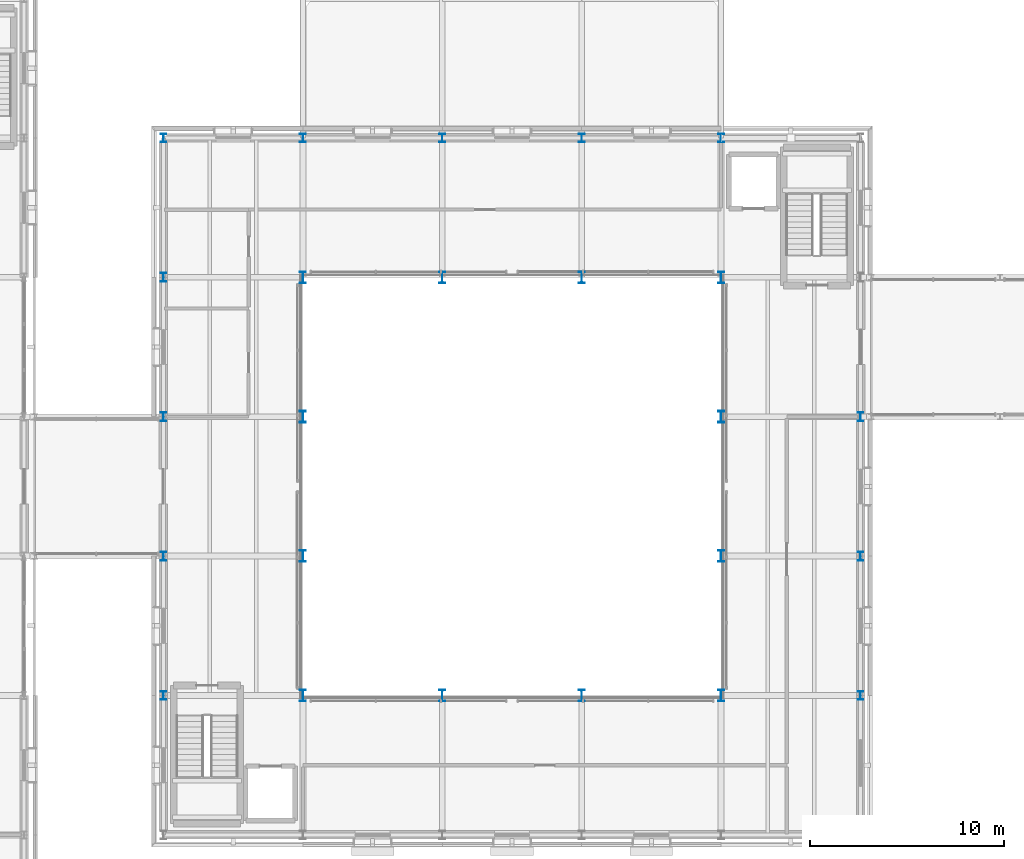
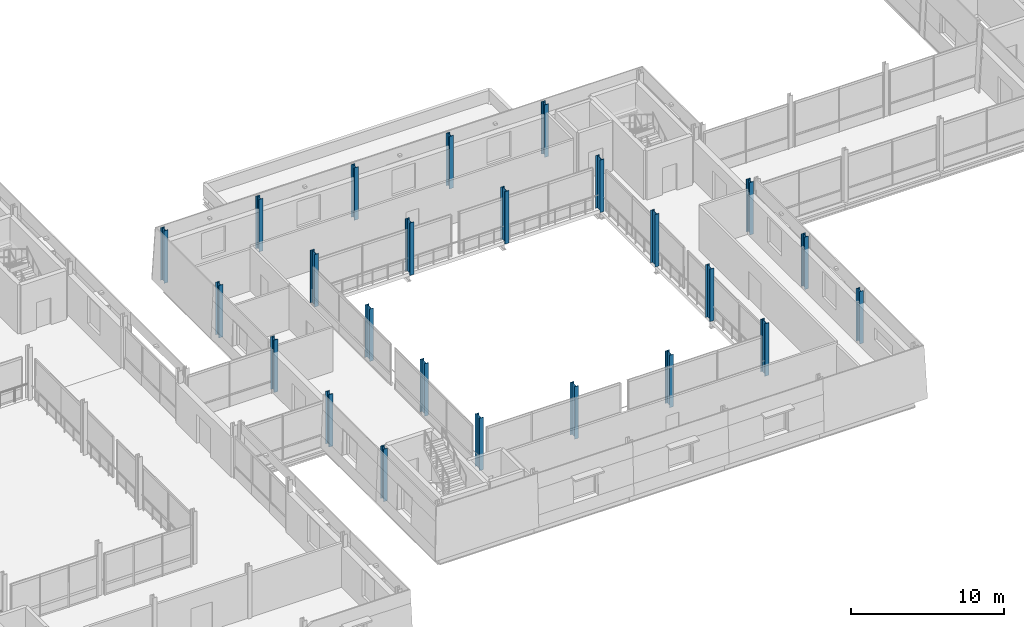
# One storey, part 10 of 115: 24 columns.
"""IFC4 building model written with IfcOpenShell, lengths in metres."""

from ifc_helpers import new_model, si_unit, direction, frame, origin, origin_2d, place, context, subcontext, project, spatial, i_section, extrude, material, material_profile, profile_set, type_object, element, save


model = new_model("IFC4")

# Units and contexts
model_context = context("Model", 3, precision=1e-05, world=origin(), true_north=direction((0.0, 1.0)))
body_context = subcontext(model_context, "Body", "Model", "MODEL_VIEW")
ifc_project = project(units=[si_unit("LENGTHUNIT", "METRE"), si_unit("AREAUNIT", "SQUARE_METRE"), si_unit("VOLUMEUNIT", "CUBIC_METRE"), si_unit("PLANEANGLEUNIT", "RADIAN"), si_unit("MASSUNIT", "GRAM", prefix="KILO")], contexts=[model_context])

# Site, building, storey
site_placement = place(None, origin())
site = spatial("IfcSite", under=ifc_project, at=site_placement, CompositionType="ELEMENT")
building_placement = place(site_placement, origin())
building = spatial("IfcBuilding", under=site, at=building_placement, Name="Narikvali Park Central Library", CompositionType="ELEMENT")
storey_placement = place(building_placement, frame((0.0, 0.0, 10.199951171875)))
storey = spatial("IfcBuildingStorey", under=building, at=storey_placement, Name="L02", CompositionType="ELEMENT", Elevation=10.199951171875)

# Columns
ifc_material = material(Name="Steel S355", Category="steel")
ifc_material_profile_1 = material_profile(ifc_material, i_section(OverallWidth=0.300048828125, OverallDepth=0.60009765625, WebThickness=0.015380859375, FlangeThickness=0.030029296875, FilletRadius=0.027099609375, at=origin_2d()), Name="HEB 600")
ifc_profile_set_1 = profile_set([ifc_material_profile_1], Name="Steel S355")
column_type_1 = type_object("IfcColumnType", Name="Dome Ring Column HEB600", PredefinedType="COLUMN", material=ifc_profile_set_1)
for number, where, z_axis, x_axis, name in (
    (1, (72.0, 64.800048828125, 0.0), (0.0, 0.0, 1.0), (1.0, 0.0, 0.0), "V1 L02 Column (72.0,64.8)"),
    (2, (72.0, 72.0, 0.0), (0.0, 0.0, 1.0), (1.0, 0.0, 0.0), "V1 L02 Column (72.0,72.0)"),
    (3, (72.0, 79.199951171875, 0.0), (0.0, 0.0, 1.0), (1.0, 0.0, 0.0), "V1 L02 Column (72.0,79.2)"),
    (4, (72.0, 86.39990234375, 0.0), (0.0, 0.0, 1.0), (1.0, 0.0, 0.0), "V1 L02 Column (72.0,86.4)"),
    (5, (79.199951171875, 64.800048828125, 0.0), (0.0, 0.0, 1.0), (1.0, 0.0, 0.0), "V1 L02 Column (79.2,64.8)"),
    (6, (79.199951171875, 86.39990234375, 0.0), (0.0, 0.0, 1.0), (1.0, 0.0, 0.0), "V1 L02 Column (79.2,86.4)"),
    (7, (86.39990234375, 64.800048828125, 0.0), (0.0, 0.0, 1.0), (1.0, 0.0, 0.0), "V1 L02 Column (86.4,64.8)"),
    (8, (86.39990234375, 86.39990234375, 0.0), (0.0, 0.0, 1.0), (1.0, 0.0, 0.0), "V1 L02 Column (86.4,86.4)"),
    (9, (93.60009765625, 64.800048828125, 0.0), (0.0, 0.0, 1.0), (1.0, 0.0, 0.0), "V1 L02 Column (93.6,64.8)"),
    (10, (93.60009765625, 72.0, 0.0), (0.0, 0.0, 1.0), (1.0, 0.0, 0.0), "V1 L02 Column (93.6,72.0)"),
    (11, (93.60009765625, 79.199951171875, 0.0), (0.0, 0.0, 1.0), (1.0, 0.0, 0.0), "V1 L02 Column (93.6,79.2)"),
    (12, (93.60009765625, 86.39990234375, 0.0), (0.0, 0.0, 1.0), (1.0, 0.0, 0.0), "V1 L02 Column (93.6,86.4)"),
):
    element("IfcColumn", number, at=place(storey_placement, frame(where, z_axis=z_axis, x_axis=x_axis)), inside=storey, type_object=column_type_1, Name=name, PredefinedType="COLUMN", context=body_context, shape_type="SweptSolid", body=[
        extrude(i_section(OverallWidth=0.300048828125, OverallDepth=0.60009765625, WebThickness=0.015380859375, FlangeThickness=0.030029296875, FilletRadius=0.027099609375, at=origin_2d()), origin(), (0.0, 0.0, 1.0), 4.199951171875),
    ])
ifc_material_profile_2 = material_profile(ifc_material, i_section(OverallWidth=0.300048828125, OverallDepth=0.449951171875, WebThickness=0.013916015625, FlangeThickness=0.02587890625, FilletRadius=0.027099609375, at=origin_2d()), Name="HEB 450")
ifc_profile_set_2 = profile_set([ifc_material_profile_2], Name="Steel S355")
column_type_2 = type_object("IfcColumnType", Name="Steel Column HEB450", PredefinedType="COLUMN", material=ifc_profile_set_2)
for number, where, z_axis, x_axis, name in (
    (13, (64.800048828125, 64.800048828125, 0.0), (0.0, 0.0, 1.0), (1.0, 0.0, 0.0), "V1 L02 Column (64.8,64.8)"),
    (14, (64.800048828125, 72.0, 0.0), (0.0, 0.0, 1.0), (1.0, 0.0, 0.0), "V1 L02 Column (64.8,72.0)"),
    (15, (64.800048828125, 79.199951171875, 0.0), (0.0, 0.0, 1.0), (1.0, 0.0, 0.0), "V1 L02 Column (64.8,79.2)"),
    (16, (64.800048828125, 86.39990234375, 0.0), (0.0, 0.0, 1.0), (1.0, 0.0, 0.0), "V1 L02 Column (64.8,86.4)"),
    (17, (64.800048828125, 93.60009765625, 0.0), (0.0, 0.0, 1.0), (1.0, 0.0, 0.0), "V1 L02 Column (64.8,93.6)"),
    (18, (72.0, 93.60009765625, 0.0), (0.0, 0.0, 1.0), (1.0, 0.0, 0.0), "V1 L02 Column (72.0,93.6)"),
    (19, (79.199951171875, 93.60009765625, 0.0), (0.0, 0.0, 1.0), (1.0, 0.0, 0.0), "V1 L02 Column (79.2,93.6)"),
    (20, (86.39990234375, 93.60009765625, 0.0), (0.0, 0.0, 1.0), (1.0, 0.0, 0.0), "V1 L02 Column (86.4,93.6)"),
    (21, (93.60009765625, 93.60009765625, 0.0), (0.0, 0.0, 1.0), (1.0, 0.0, 0.0), "V1 L02 Column (93.6,93.6)"),
    (22, (100.800048828125, 64.800048828125, 0.0), (0.0, 0.0, 1.0), (1.0, 0.0, 0.0), "V1 L02 Column (100.8,64.8)"),
    (23, (100.800048828125, 72.0, 0.0), (0.0, 0.0, 1.0), (1.0, 0.0, 0.0), "V1 L02 Column (100.8,72.0)"),
    (24, (100.800048828125, 79.199951171875, 0.0), (0.0, 0.0, 1.0), (1.0, 0.0, 0.0), "V1 L02 Column (100.8,79.2)"),
):
    element("IfcColumn", number, at=place(storey_placement, frame(where, z_axis=z_axis, x_axis=x_axis)), inside=storey, type_object=column_type_2, Name=name, PredefinedType="COLUMN", context=body_context, shape_type="SweptSolid", body=[
        extrude(i_section(OverallWidth=0.300048828125, OverallDepth=0.449951171875, WebThickness=0.013916015625, FlangeThickness=0.02587890625, FilletRadius=0.027099609375, at=origin_2d()), origin(), (0.0, 0.0, 1.0), 4.199951171875),
    ])

save(model, "model.ifc")
